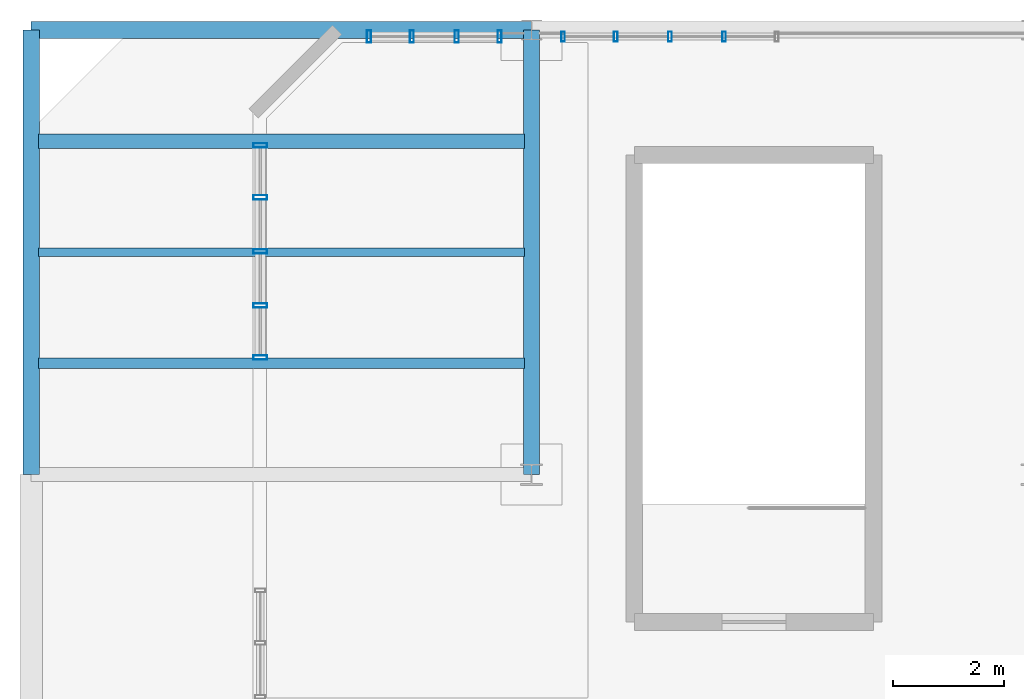
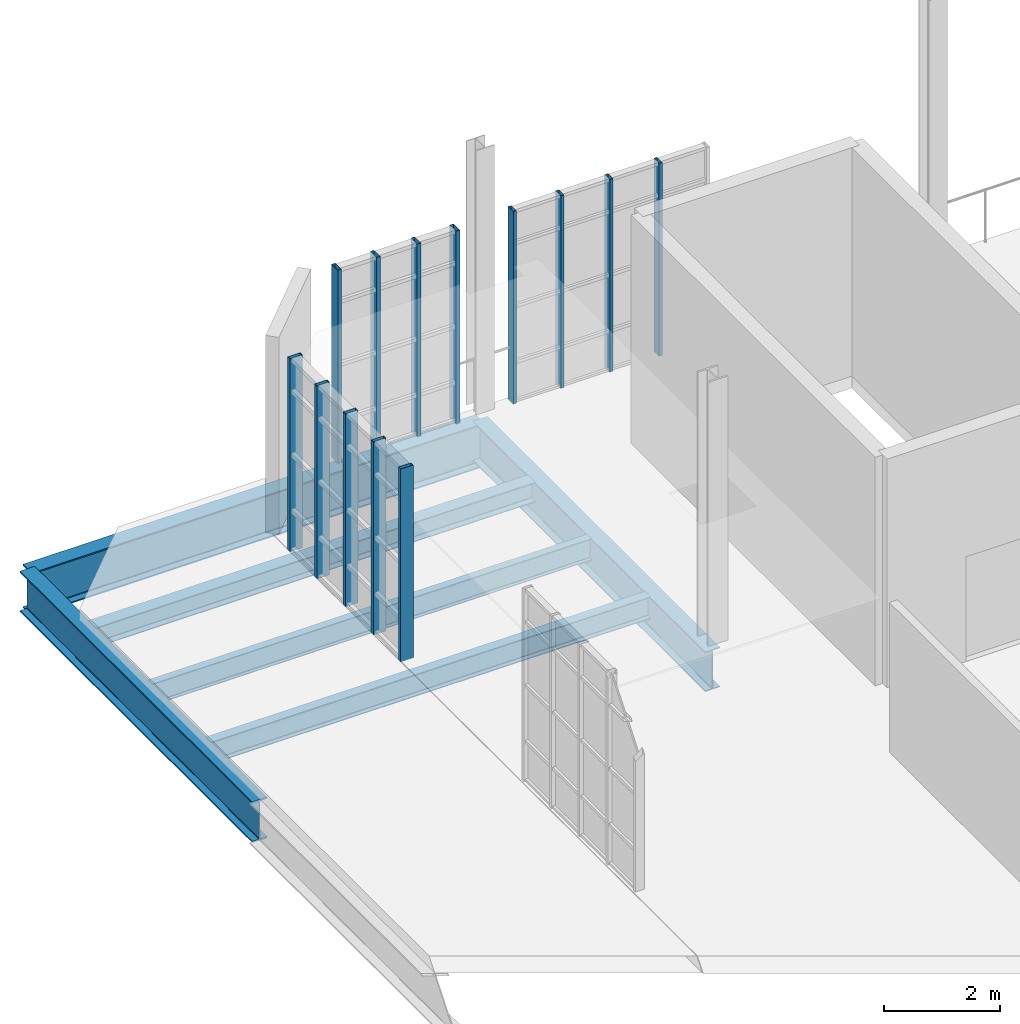
# One storey, part 20 of 36: 13 members, 6 beams, 3 elements without a shape of their own.
"""IFC4 building model written with IfcOpenShell, lengths in metres."""

from ifc_helpers import new_model, si_unit, direction, frame, origin, origin_2d, place, context, subcontext, project, spatial, hollow_rectangle, i_section, extrude, material, layer, layer_set, material_profile, profile_set, type_object, element, aggregate, save


model = new_model("IFC4")

# Units and contexts
model_context = context("Model", 3, precision=1e-05, world=origin(), true_north=direction((0.0, 1.0)))
body_context = subcontext(model_context, "Body", "Model", "MODEL_VIEW")
ifc_project = project(units=[si_unit("LENGTHUNIT", "METRE"), si_unit("AREAUNIT", "SQUARE_METRE"), si_unit("VOLUMEUNIT", "CUBIC_METRE"), si_unit("PLANEANGLEUNIT", "RADIAN"), si_unit("MASSUNIT", "GRAM", prefix="KILO"), si_unit("THERMODYNAMICTEMPERATUREUNIT", "KELVIN"), si_unit("POWERUNIT", "WATT")], contexts=[model_context])

# Site, building, storey
site_placement = place(None, origin())
site = spatial("IfcSite", under=ifc_project, at=site_placement, CompositionType="ELEMENT")
building_placement = place(site_placement, origin())
building = spatial("IfcBuilding", under=site, at=building_placement, Name="Zelmaris Science Centre", CompositionType="ELEMENT")
storey_placement = place(building_placement, frame((0.0, 0.0, 25.199951171875)))
storey = spatial("IfcBuildingStorey", under=building, at=storey_placement, Name="L05", CompositionType="ELEMENT", Elevation=25.199951171875)

# Curtain wall, members
ifc_material_1 = material(Name="Anodised architectural aluminium 6063-T6", Category="aluminium")
ifc_layer_1 = layer(ifc_material_1, 0.2099609375, Name="Anodised architectural aluminium 6063-T6")
ifc_layer_set_1 = layer_set([ifc_layer_1], Name="Anodised architectural aluminium 6063-T6")
curtain_wall_type_1 = type_object("IfcCurtainWallType", Name="Curtain Wall CW-03", PredefinedType="USERDEFINED", material=ifc_layer_set_1)
curtain_wall_1_placement = place(storey_placement, origin())
curtain_wall_1 = element("IfcCurtainWall", 1, at=curtain_wall_1_placement, inside=storey, type_object=curtain_wall_type_1, Name="L05 Unitised curtain wall 359", ObjectType="GLAZED CURTAIN WALL", PredefinedType="USERDEFINED")
ifc_material_profile_1 = material_profile(ifc_material_1, hollow_rectangle(XDim=0.06494140625, YDim=0.179931640625, WallThickness=0.00390625, at=origin_2d()), Name="ALU-MUL-65X180")
ifc_profile_set_1 = profile_set([ifc_material_profile_1], Name="Anodised architectural aluminium 6063-T6")
member_type_1 = type_object("IfcMemberType", Name="ALU-MUL-65X180", PredefinedType="MULLION", material=ifc_profile_set_1)
member_1_placement = place(storey_placement, frame((63.568603515625, 87.8798828125, -0.014892578125), z_axis=(0.0, 0.0, 1.0), x_axis=(0.999999999986, -5.235988e-06, 0.0)))
member_1 = element("IfcMember", 2, at=member_1_placement, type_object=member_type_1, Name="CW-03 mullion 1", PredefinedType="MULLION", context=body_context, shape_type="SweptSolid", body=[
    extrude(hollow_rectangle(XDim=0.06494140625, YDim=0.179931640625, WallThickness=0.00390625, at=origin_2d()), origin(), (0.0, 0.0, 1.0), 4.054931640625),
])
member_2_placement = place(storey_placement, frame((64.514892578125, 87.8798828125, -0.014892578125), z_axis=(0.0, 0.0, 1.0), x_axis=(0.999999999986, -5.235988e-06, 0.0)))
member_2 = element("IfcMember", 3, at=member_2_placement, type_object=member_type_1, Name="CW-03 mullion 2", PredefinedType="MULLION", context=body_context, shape_type="SweptSolid", body=[
    extrude(hollow_rectangle(XDim=0.06494140625, YDim=0.179931640625, WallThickness=0.00390625, at=origin_2d()), origin(), (0.0, 0.0, 1.0), 4.054931640625),
])
member_3_placement = place(storey_placement, frame((65.489990234375, 87.8798828125, -0.014892578125), z_axis=(0.0, 0.0, 1.0), x_axis=(0.999999999986, -5.235988e-06, 0.0)))
member_3 = element("IfcMember", 4, at=member_3_placement, type_object=member_type_1, Name="CW-03 mullion 3", PredefinedType="MULLION", context=body_context, shape_type="SweptSolid", body=[
    extrude(hollow_rectangle(XDim=0.06494140625, YDim=0.179931640625, WallThickness=0.00390625, at=origin_2d()), origin(), (0.0, 0.0, 1.0), 4.054931640625),
])
member_4_placement = place(storey_placement, frame((66.465087890625, 87.8798828125, -0.014892578125), z_axis=(0.0, 0.0, 1.0), x_axis=(0.999999999986, -5.235988e-06, 0.0)))
member_4 = element("IfcMember", 5, at=member_4_placement, type_object=member_type_1, Name="CW-03 mullion 4", PredefinedType="MULLION", context=body_context, shape_type="SweptSolid", body=[
    extrude(hollow_rectangle(XDim=0.06494140625, YDim=0.179931640625, WallThickness=0.00390625, at=origin_2d()), origin(), (0.0, 0.0, 1.0), 4.054931640625),
])
aggregate(curtain_wall_1, [member_1, member_2, member_3, member_4])

ifc_layer_2 = layer(ifc_material_1, 0.199951171875, Name="Anodised architectural aluminium 6063-T6")
ifc_layer_set_2 = layer_set([ifc_layer_2], Name="Anodised architectural aluminium 6063-T6")
curtain_wall_type_2 = type_object("IfcCurtainWallType", Name="Curtain Wall CW-02", PredefinedType="USERDEFINED", material=ifc_layer_set_2)
curtain_wall_2_placement = place(storey_placement, origin())
curtain_wall_2 = element("IfcCurtainWall", 6, at=curtain_wall_2_placement, inside=storey, type_object=curtain_wall_type_2, Name="L05 Unitised curtain wall 358", ObjectType="GLAZED CURTAIN WALL", PredefinedType="USERDEFINED")
ifc_material_profile_2 = material_profile(ifc_material_1, hollow_rectangle(XDim=0.074951171875, YDim=0.219970703125, WallThickness=0.0048828125, at=origin_2d()), Name="ALU-MUL-75X220")
ifc_profile_set_2 = profile_set([ifc_material_profile_2], Name="Anodised architectural aluminium 6063-T6")
member_type_2 = type_object("IfcMemberType", Name="ALU-MUL-75X220", PredefinedType="MULLION", material=ifc_profile_set_2)
member_5_placement = place(storey_placement, frame((60.074951171875, 87.8798828125, -0.014892578125), z_axis=(0.0, 0.0, 1.0), x_axis=(0.999999999986, -5.235988e-06, 0.0)))
member_5 = element("IfcMember", 7, at=member_5_placement, type_object=member_type_2, Name="CW-02 mullion 1", PredefinedType="MULLION", context=body_context, shape_type="SweptSolid", body=[
    extrude(hollow_rectangle(XDim=0.074951171875, YDim=0.219970703125, WallThickness=0.0048828125, at=origin_2d()), origin(), (0.0, 0.0, 1.0), 4.054931640625),
])
member_6_placement = place(storey_placement, frame((60.84765625, 87.8798828125, -0.014892578125), z_axis=(0.0, 0.0, 1.0), x_axis=(0.999999999986, -5.235988e-06, 0.0)))
member_6 = element("IfcMember", 8, at=member_6_placement, type_object=member_type_2, Name="CW-02 mullion 2", PredefinedType="MULLION", context=body_context, shape_type="SweptSolid", body=[
    extrude(hollow_rectangle(XDim=0.074951171875, YDim=0.219970703125, WallThickness=0.0048828125, at=origin_2d()), origin(), (0.0, 0.0, 1.0), 4.054931640625),
])
member_7_placement = place(storey_placement, frame((61.65380859375, 87.8798828125, -0.014892578125), z_axis=(0.0, 0.0, 1.0), x_axis=(0.999999999986, -5.235988e-06, 0.0)))
member_7 = element("IfcMember", 9, at=member_7_placement, type_object=member_type_2, Name="CW-02 mullion 3", PredefinedType="MULLION", context=body_context, shape_type="SweptSolid", body=[
    extrude(hollow_rectangle(XDim=0.074951171875, YDim=0.219970703125, WallThickness=0.0048828125, at=origin_2d()), origin(), (0.0, 0.0, 1.0), 4.054931640625),
])
member_8_placement = place(storey_placement, frame((62.426513671875, 87.8798828125, -0.014892578125), z_axis=(0.0, 0.0, 1.0), x_axis=(0.999999999986, -5.235988e-06, 0.0)))
member_8 = element("IfcMember", 10, at=member_8_placement, type_object=member_type_2, Name="CW-02 mullion 4", PredefinedType="MULLION", context=body_context, shape_type="SweptSolid", body=[
    extrude(hollow_rectangle(XDim=0.074951171875, YDim=0.219970703125, WallThickness=0.0048828125, at=origin_2d()), origin(), (0.0, 0.0, 1.0), 4.054931640625),
])
aggregate(curtain_wall_2, [member_5, member_6, member_7, member_8])

ifc_layer_3 = layer(ifc_material_1, 0.18994140625, Name="Anodised architectural aluminium 6063-T6")
ifc_layer_set_3 = layer_set([ifc_layer_3], Name="Anodised architectural aluminium 6063-T6")
curtain_wall_type_3 = type_object("IfcCurtainWallType", Name="Curtain Wall CW-01", PredefinedType="USERDEFINED", material=ifc_layer_set_3)
curtain_wall_3_placement = place(storey_placement, origin())
curtain_wall_3 = element("IfcCurtainWall", 11, at=curtain_wall_3_placement, inside=storey, type_object=curtain_wall_type_3, Name="L05 Unitised curtain wall 381", ObjectType="GLAZED CURTAIN WALL", PredefinedType="USERDEFINED")
ifc_material_profile_3 = material_profile(ifc_material_1, hollow_rectangle(XDim=0.080078125, YDim=0.25, WallThickness=0.0048828125, at=origin_2d()), Name="ALU-MUL-80X250")
ifc_profile_set_3 = profile_set([ifc_material_profile_3], Name="Anodised architectural aluminium 6063-T6")
member_type_3 = type_object("IfcMemberType", Name="ALU-MUL-80X250", PredefinedType="MULLION", material=ifc_profile_set_3)
member_9_placement = place(storey_placement, frame((58.1201171875, 82.106689453125, -0.014892578125), z_axis=(0.0, 0.0, 1.0), x_axis=(-3.490659e-06, 0.999999999994, 0.0)))
member_9 = element("IfcMember", 12, at=member_9_placement, type_object=member_type_3, Name="CW-01 mullion 1", PredefinedType="MULLION", context=body_context, shape_type="SweptSolid", body=[
    extrude(hollow_rectangle(XDim=0.080078125, YDim=0.25, WallThickness=0.0048828125, at=origin_2d()), origin(), (0.0, 0.0, 1.0), 4.054931640625),
])
member_10_placement = place(storey_placement, frame((58.1201171875, 83.042724609375, -0.014892578125), z_axis=(0.0, 0.0, 1.0), x_axis=(-3.490659e-06, 0.999999999994, 0.0)))
member_10 = element("IfcMember", 13, at=member_10_placement, type_object=member_type_3, Name="CW-01 mullion 2", PredefinedType="MULLION", context=body_context, shape_type="SweptSolid", body=[
    extrude(hollow_rectangle(XDim=0.080078125, YDim=0.25, WallThickness=0.0048828125, at=origin_2d()), origin(), (0.0, 0.0, 1.0), 4.054931640625),
])
member_11_placement = place(storey_placement, frame((58.1201171875, 84.0146484375, -0.014892578125), z_axis=(0.0, 0.0, 1.0), x_axis=(-3.490659e-06, 0.999999999994, 0.0)))
member_11 = element("IfcMember", 14, at=member_11_placement, type_object=member_type_3, Name="CW-01 mullion 3", PredefinedType="MULLION", context=body_context, shape_type="SweptSolid", body=[
    extrude(hollow_rectangle(XDim=0.080078125, YDim=0.25, WallThickness=0.0048828125, at=origin_2d()), origin(), (0.0, 0.0, 1.0), 4.054931640625),
])
member_12_placement = place(storey_placement, frame((58.1201171875, 84.986572265625, -0.014892578125), z_axis=(0.0, 0.0, 1.0), x_axis=(-3.490659e-06, 0.999999999994, 0.0)))
member_12 = element("IfcMember", 15, at=member_12_placement, type_object=member_type_3, Name="CW-01 mullion 4", PredefinedType="MULLION", context=body_context, shape_type="SweptSolid", body=[
    extrude(hollow_rectangle(XDim=0.080078125, YDim=0.25, WallThickness=0.0048828125, at=origin_2d()), origin(), (0.0, 0.0, 1.0), 4.054931640625),
])
member_13_placement = place(storey_placement, frame((58.1201171875, 85.922607421875, -0.014892578125), z_axis=(0.0, 0.0, 1.0), x_axis=(-3.490659e-06, 0.999999999994, 0.0)))
member_13 = element("IfcMember", 16, at=member_13_placement, type_object=member_type_3, Name="CW-01 mullion 5", PredefinedType="MULLION", context=body_context, shape_type="SweptSolid", body=[
    extrude(hollow_rectangle(XDim=0.080078125, YDim=0.25, WallThickness=0.0048828125, at=origin_2d()), origin(), (0.0, 0.0, 1.0), 4.054931640625),
])
aggregate(curtain_wall_3, [member_9, member_10, member_11, member_12, member_13])

# Beams
ifc_material_2 = material(Name="Steel ASTM A992 Grade 50", Category="steel")
ifc_material_profile_4 = material_profile(ifc_material_2, i_section(OverallWidth=0.304931640625, OverallDepth=0.9140625, WebThickness=0.0166015625, FlangeThickness=0.02587890625, FilletRadius=0.02392578125, at=origin_2d()), Name="W36X160")
ifc_profile_set_4 = profile_set([ifc_material_profile_4], Name="Steel ASTM A992 Grade 50")
beam_type_1 = type_object("IfcBeamType", Name="Beam G-04 W36X160", PredefinedType="BEAM", material=ifc_profile_set_4)
beam_1_placement = place(storey_placement, frame((54.0, 88.0, -0.70703125), z_axis=(1.0, 0.0, 0.0), x_axis=(0.0, 1.0, 0.0)))
element("IfcBeam", 17, at=beam_1_placement, inside=storey, type_object=beam_type_1, Name="L05 East-west girder 931", PredefinedType="BEAM", context=body_context, shape_type="SweptSolid", body=[
    extrude(i_section(OverallWidth=0.304931640625, OverallDepth=0.9140625, WebThickness=0.0166015625, FlangeThickness=0.02587890625, FilletRadius=0.02392578125, at=origin_2d()), origin(), (0.0, 0.0, 1.0), 9.0),
])
ifc_material_profile_5 = material_profile(ifc_material_2, i_section(OverallWidth=0.2919921875, OverallDepth=0.85888671875, WebThickness=0.01708984375, FlangeThickness=0.031005859375, FilletRadius=0.02001953125, at=origin_2d()), Name="W33X169")
ifc_profile_set_5 = profile_set([ifc_material_profile_5], Name="Steel ASTM A992 Grade 50")
beam_type_2 = type_object("IfcBeamType", Name="Beam G-29 W33X169", PredefinedType="BEAM", material=ifc_profile_set_5)
beam_2_placement = place(storey_placement, frame((54.0, 80.0, -0.679443359375), z_axis=(0.0, 1.0, 0.0), x_axis=(-1.0, 0.0, 0.0)))
element("IfcBeam", 18, at=beam_2_placement, inside=storey, type_object=beam_type_2, Name="L05 North-south girder 917", PredefinedType="BEAM", context=body_context, shape_type="SweptSolid", body=[
    extrude(i_section(OverallWidth=0.2919921875, OverallDepth=0.85888671875, WebThickness=0.01708984375, FlangeThickness=0.031005859375, FilletRadius=0.02001953125, at=origin_2d()), origin(), (0.0, 0.0, 1.0), 8.0),
])
ifc_material_profile_6 = material_profile(ifc_material_2, i_section(OverallWidth=0.2919921875, OverallDepth=0.8359375, WebThickness=0.013916015625, FlangeThickness=0.018798828125, FilletRadius=0.02001953125, at=origin_2d()), Name="W33X118")
ifc_profile_set_6 = profile_set([ifc_material_profile_6], Name="Steel ASTM A992 Grade 50")
beam_type_3 = type_object("IfcBeamType", Name="Beam G-30 W33X118", PredefinedType="BEAM", material=ifc_profile_set_6)
beam_3_placement = place(storey_placement, frame((63.0, 80.0, -0.66796875), z_axis=(0.0, 1.0, 0.0), x_axis=(-1.0, 0.0, 0.0)))
element("IfcBeam", 19, at=beam_3_placement, inside=storey, type_object=beam_type_3, Name="L05 North-south girder 918", PredefinedType="BEAM", context=body_context, shape_type="SweptSolid", body=[
    extrude(i_section(OverallWidth=0.2919921875, OverallDepth=0.8359375, WebThickness=0.013916015625, FlangeThickness=0.018798828125, FilletRadius=0.02001953125, at=origin_2d()), origin(), (0.0, 0.0, 1.0), 8.0),
])
ifc_material_profile_7 = material_profile(ifc_material_2, i_section(OverallWidth=0.19091796875, OverallDepth=0.4599609375, WebThickness=0.010009765625, FlangeThickness=0.01611328125, FilletRadius=0.012939453125, at=origin_2d()), Name="W18X55")
ifc_profile_set_7 = profile_set([ifc_material_profile_7], Name="Steel ASTM A992 Grade 50")
beam_type_4 = type_object("IfcBeamType", Name="Beam J-04 W18X55", PredefinedType="JOIST", material=ifc_profile_set_7)
beam_4_placement = place(storey_placement, frame((54.131103515625, 82.0, -0.47998046875), z_axis=(1.0, 0.0, 0.0), x_axis=(0.0, 1.0, 0.0)))
element("IfcBeam", 20, at=beam_4_placement, inside=storey, type_object=beam_type_4, Name="L05 Composite floor joist 417", PredefinedType="JOIST", context=body_context, shape_type="SweptSolid", body=[
    extrude(i_section(OverallWidth=0.19091796875, OverallDepth=0.4599609375, WebThickness=0.010009765625, FlangeThickness=0.01611328125, FilletRadius=0.012939453125, at=origin_2d()), origin(), (0.0, 0.0, 1.0), 8.73779296875),
])
ifc_material_profile_8 = material_profile(ifc_material_2, i_section(OverallWidth=0.152099609375, OverallDepth=0.455078125, WebThickness=0.008056640625, FlangeThickness=0.01318359375, FilletRadius=0.012939453125, at=origin_2d()), Name="W18X40")
ifc_profile_set_8 = profile_set([ifc_material_profile_8], Name="Steel ASTM A992 Grade 50")
beam_type_5 = type_object("IfcBeamType", Name="Beam J-05 W18X40", PredefinedType="JOIST", material=ifc_profile_set_8)
beam_5_placement = place(storey_placement, frame((54.131103515625, 84.0, -0.4775390625), z_axis=(1.0, 0.0, 0.0), x_axis=(0.0, 1.0, 0.0)))
element("IfcBeam", 21, at=beam_5_placement, inside=storey, type_object=beam_type_5, Name="L05 Composite floor joist 418", PredefinedType="JOIST", context=body_context, shape_type="SweptSolid", body=[
    extrude(i_section(OverallWidth=0.152099609375, OverallDepth=0.455078125, WebThickness=0.008056640625, FlangeThickness=0.01318359375, FilletRadius=0.012939453125, at=origin_2d()), origin(), (0.0, 0.0, 1.0), 8.73779296875),
])
ifc_material_profile_9 = material_profile(ifc_material_2, i_section(OverallWidth=0.260009765625, OverallDepth=0.4140625, WebThickness=0.010009765625, FlangeThickness=0.016845703125, FilletRadius=0.011962890625, at=origin_2d()), Name="W16X67")
ifc_profile_set_9 = profile_set([ifc_material_profile_9], Name="Steel ASTM A992 Grade 50")
beam_type_6 = type_object("IfcBeamType", Name="Beam J-06 W16X67", PredefinedType="JOIST", material=ifc_profile_set_9)
beam_6_placement = place(storey_placement, frame((54.131103515625, 86.0, -0.45703125), z_axis=(1.0, 0.0, 0.0), x_axis=(0.0, 1.0, 0.0)))
element("IfcBeam", 22, at=beam_6_placement, inside=storey, type_object=beam_type_6, Name="L05 Composite floor joist 419", PredefinedType="JOIST", context=body_context, shape_type="SweptSolid", body=[
    extrude(i_section(OverallWidth=0.260009765625, OverallDepth=0.4140625, WebThickness=0.010009765625, FlangeThickness=0.016845703125, FilletRadius=0.011962890625, at=origin_2d()), origin(), (0.0, 0.0, 1.0), 8.73779296875),
])

save(model, "model.ifc")
